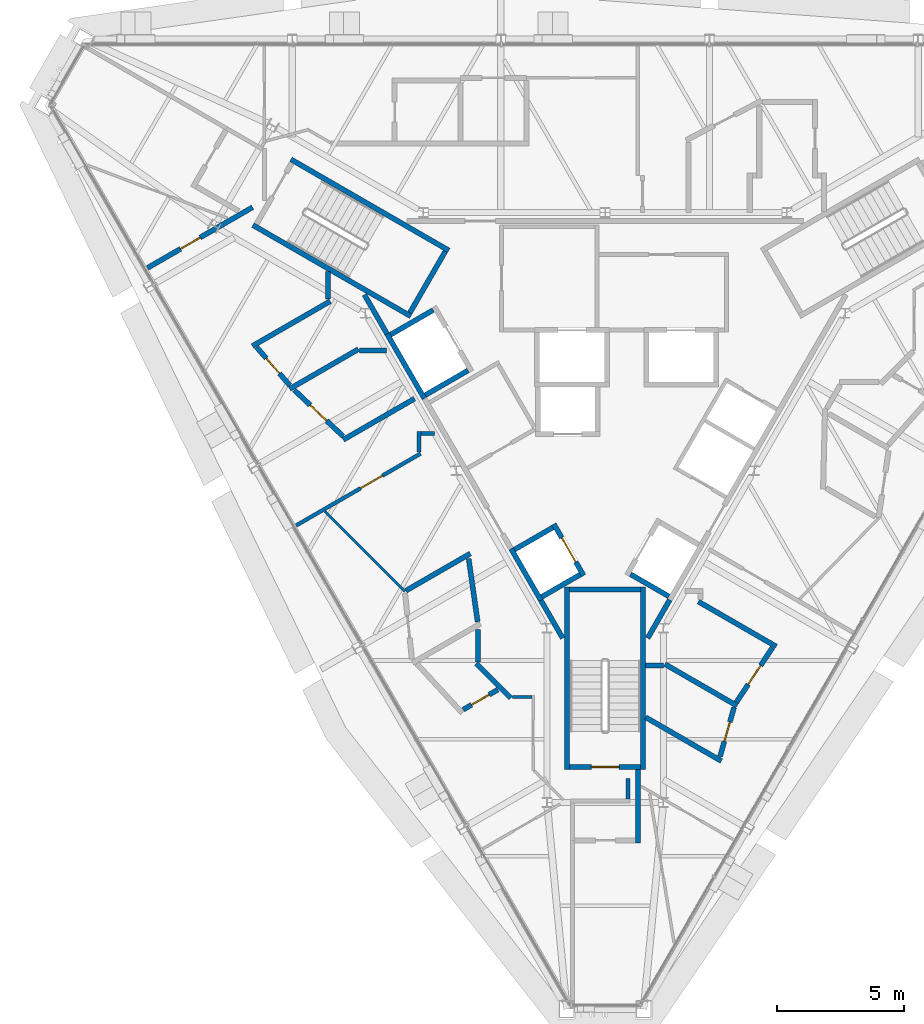
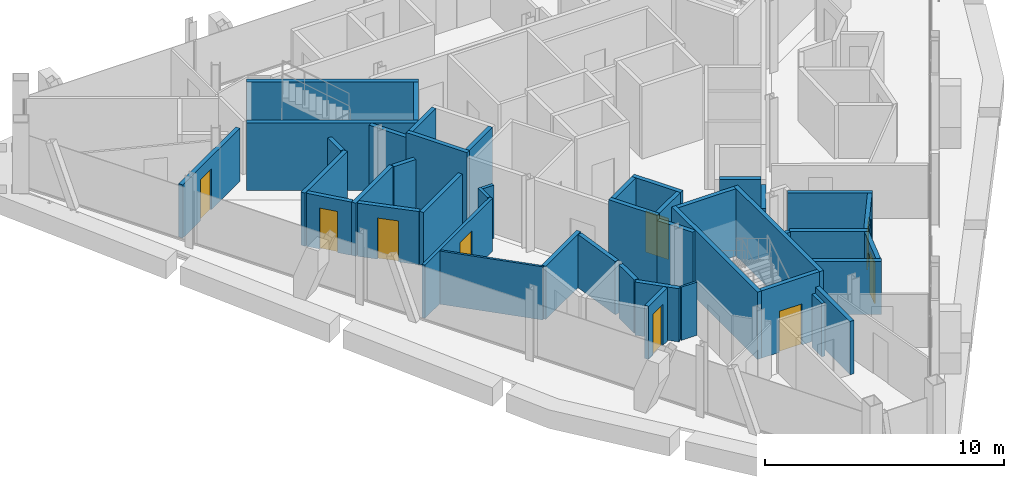
# One storey, part 9 of 15: 44 walls, 9 doors, 9 openings.
"""IFC4 building model written with IfcOpenShell, lengths in metres."""

import ifcopenshell
import ifcopenshell.guid

model = None  # the IFC model being written
_history = None  # IfcOwnerHistory: only IFC2X3 demands one
_inside = {}  # id of a spatial element -> (the spatial element, [elements in it])
_under = {}  # id of a project, library or spatial element -> (it, [spatial elements below it])
_declared = {}  # id of a project -> (the project, [libraries it declares])
_typed = {}  # id of a type object -> (the type object, [elements of that type])
_made_of = {}  # id of a material, layer set ... -> (it, [elements and type objects made of it])


def new_model(schema):
    """Start an empty IFC model of exactly this schema.

    Asked for "IFC4X3", IfcOpenShell would pick the latest addendum, in which some entities
    have other attributes; the version numbers below select the first issue.
    IFC2X3 requires an IfcOwnerHistory on every rooted entity: one is made here for all.
    """
    global model, _history
    if schema == "IFC4X3":
        model = ifcopenshell.file(schema_version=(4, 3, 0, 0))
    else:
        model = ifcopenshell.file(schema=schema)
    _inside.clear()
    _under.clear()
    _declared.clear()
    _typed.clear()
    _made_of.clear()
    _history = None
    if model.schema == "IFC2X3":
        org = make("IfcOrganization", Name="unknown")
        user = make(
            "IfcPersonAndOrganization",
            ThePerson=make("IfcPerson", FamilyName="unknown"),
            TheOrganization=org,
        )
        app = make(
            "IfcApplication",
            ApplicationDeveloper=org,
            Version="unknown",
            ApplicationFullName="unknown",
            ApplicationIdentifier="unknown",
        )
        _history = make(
            "IfcOwnerHistory",
            OwningUser=user,
            OwningApplication=app,
            ChangeAction="ADDED",
            CreationDate=0,
        )
    return model


def make(cls, **values):
    """One entity of the class cls with the attributes given. An attribute that is None is left unset."""
    return model.create_entity(
        cls, **{name: value for name, value in values.items() if value is not None}
    )


def rooted(cls, **values):
    """An entity with a GlobalId (a new one), such as an element, a storey or a relation."""
    return make(cls, GlobalId=ifcopenshell.guid.new(), OwnerHistory=_history, **values)


def si_unit(unit_type, name, prefix=None):
    """IfcSIUnit, for example si_unit("LENGTHUNIT", "METRE", prefix="MILLI")."""
    return make("IfcSIUnit", UnitType=unit_type, Prefix=prefix, Name=name)


def assignment(units):
    """IfcUnitAssignment: the units of a project."""
    return None if units is None else make("IfcUnitAssignment", Units=units)


def point(xyz):
    """IfcCartesianPoint."""
    return None if xyz is None else make("IfcCartesianPoint", Coordinates=xyz)


def direction(xyz):
    """IfcDirection."""
    return None if xyz is None else make("IfcDirection", DirectionRatios=xyz)


def frame(location, z_axis=None, x_axis=None):
    """IfcAxis2Placement3D, a coordinate frame: its origin and axes. An axis left out is left unset."""
    return make(
        "IfcAxis2Placement3D",
        Location=point(location),
        Axis=direction(z_axis),
        RefDirection=direction(x_axis),
    )


def frame_2d(location, x_axis=None):
    """IfcAxis2Placement2D, a coordinate frame in the plane: its origin and x axis."""
    return make(
        "IfcAxis2Placement2D", Location=point(location), RefDirection=direction(x_axis)
    )


def origin():
    """The frame at (0, 0, 0) with its axes left unset."""
    return frame((0.0, 0.0, 0.0))


def place(relative_to, where):
    """IfcLocalPlacement: puts the frame where relative to a parent placement (None: the world)."""
    return make(
        "IfcLocalPlacement", PlacementRelTo=relative_to, RelativePlacement=where
    )


def context(
    kind, dimensions, precision=None, world=None, true_north=None, identifier=None
):
    """IfcGeometricRepresentationContext, for example the 3D "Model" context."""
    return make(
        "IfcGeometricRepresentationContext",
        ContextIdentifier=identifier,
        ContextType=kind,
        CoordinateSpaceDimension=dimensions,
        Precision=precision,
        WorldCoordinateSystem=world,
        TrueNorth=true_north,
    )


def subcontext(parent, identifier, kind, view, scale=None):
    """IfcGeometricRepresentationSubContext, for example "Body" below "Model"."""
    return make(
        "IfcGeometricRepresentationSubContext",
        ContextIdentifier=identifier,
        ContextType=kind,
        ParentContext=parent,
        TargetScale=scale,
        TargetView=view,
    )


def project(units=None, contexts=None):
    """IfcProject with its units and contexts."""
    return rooted(
        "IfcProject",
        Name="project",
        RepresentationContexts=contexts,
        UnitsInContext=assignment(units),
    )


def spatial(cls, under=None, at=None, **own):
    """A site, building, storey or space (cls), placed at a placement, below another one or the project."""
    s = rooted(cls, ObjectPlacement=at, **own)
    if under is not None:
        _under.setdefault(under.id(), (under, []))[1].append(s)
    return s


def profile(cls, at=None, kind="AREA", **sizes):
    """A parametric profile (cls). Its sizes go by their IFC names, for example OverallWidth=200.0."""
    return make(cls, ProfileType=kind, Position=at, **sizes)


def rectangle(**sizes):
    """IfcRectangleProfileDef."""
    return profile("IfcRectangleProfileDef", **sizes)


def extrude(swept, where, along, depth):
    """IfcExtrudedAreaSolid: the profile swept, set in the frame where, extruded along a direction by depth."""
    return make(
        "IfcExtrudedAreaSolid",
        SweptArea=swept,
        Position=where,
        ExtrudedDirection=direction(along),
        Depth=depth,
    )


def shape(context_of_items, identifier, shape_type, items):
    """IfcShapeRepresentation: the items that make up one representation, for example the "Body"."""
    return make(
        "IfcShapeRepresentation",
        ContextOfItems=context_of_items,
        RepresentationIdentifier=identifier,
        RepresentationType=shape_type,
        Items=items,
    )


def material(Name=None, Category=None):
    """IfcMaterial."""
    return make("IfcMaterial", Name=Name, Category=Category)


def layer(
    of_material, thickness, ventilated=None, Name=None, Category=None, Priority=None
):
    """IfcMaterialLayer: one layer of a wall or slab, of a material (None: an air gap)."""
    return make(
        "IfcMaterialLayer",
        Material=of_material,
        LayerThickness=thickness,
        IsVentilated=ventilated,
        Name=Name,
        Category=Category,
        Priority=Priority,
    )


def layer_set(layers, Name=None):
    """IfcMaterialLayerSet."""
    return make("IfcMaterialLayerSet", MaterialLayers=layers, LayerSetName=Name)


def made_of(thing, what):
    """Note that an element or type object is made of a material, layer set ...; save() writes the relation."""
    if what is not None:
        _made_of.setdefault(what.id(), (what, []))[1].append(thing)
    return thing


def type_object(cls, material=None, **own):
    """A type object (cls), such as IfcWallType, which elements share."""
    return made_of(rooted(cls, **own), material)


def element(
    cls,
    number,
    at=None,
    inside=None,
    cuts=None,
    type_object=None,
    material=None,
    context=None,
    identifier="Body",
    shape_type=None,
    held_by="IfcProductDefinitionShape",
    body=None,
    shapes=None,
    **own,
):
    """One element of the class cls, such as IfcWall. Its Tag is "e" and its number.

    at: its placement. inside: the storey or other place that contains it. cuts: it is an
    opening in that element (IfcRelVoidsElement). A single representation is given by context,
    identifier, shape_type and body (its items); several are given by shapes. held_by: the class
    of the entity that holds the representations. save() writes the other relations.
    """
    e = rooted(cls, Tag="e%d" % number, ObjectPlacement=at, **own)
    if body is not None:
        shapes = [shape(context, identifier, shape_type, body)]
    if shapes is not None:
        e.Representation = make(held_by, Representations=shapes)
    if inside is not None:
        _inside.setdefault(inside.id(), (inside, []))[1].append(e)
    if cuts is not None:
        rooted(
            "IfcRelVoidsElement", RelatingBuildingElement=cuts, RelatedOpeningElement=e
        )
    if type_object is not None:
        _typed.setdefault(type_object.id(), (type_object, []))[1].append(e)
    return made_of(e, material)


def fill(opening, filler):
    """IfcRelFillsElement: the door or window that sits in an opening."""
    return rooted(
        "IfcRelFillsElement",
        RelatingOpeningElement=opening,
        RelatedBuildingElement=filler,
    )


def aggregate(whole, parts):
    """IfcRelAggregates: a whole, such as a stair, and the parts it consists of."""
    return rooted("IfcRelAggregates", RelatingObject=whole, RelatedObjects=parts)


def save(model, path):
    """Write the relations noted so far, then the file.

    IfcRelAggregates (storeys below a building ...), IfcRelContainedInSpatialStructure (elements
    in a storey), IfcRelDefinesByType, IfcRelAssociatesMaterial and IfcRelDeclares: one each for
    every whole, place, type object, material and project.
    """
    for whole, parts in _under.values():
        aggregate(whole, parts)
    for where, things in _inside.values():
        rooted(
            "IfcRelContainedInSpatialStructure",
            RelatedElements=things,
            RelatingStructure=where,
        )
    for kind, things in _typed.values():
        rooted("IfcRelDefinesByType", RelatedObjects=things, RelatingType=kind)
    for what, things in _made_of.values():
        rooted("IfcRelAssociatesMaterial", RelatedObjects=things, RelatingMaterial=what)
    for by, libraries in _declared.values():
        rooted("IfcRelDeclares", RelatingContext=by, RelatedDefinitions=libraries)
    model.write(path)


model = new_model("IFC4")

# Units and contexts
model_context = context("Model", 3, precision=1e-05, world=origin(), true_north=direction((0.0, 1.0)))
body_context = subcontext(model_context, "Body", "Model", "MODEL_VIEW")
ifc_project = project(units=[si_unit("LENGTHUNIT", "METRE"), si_unit("AREAUNIT", "SQUARE_METRE"), si_unit("VOLUMEUNIT", "CUBIC_METRE"), si_unit("PLANEANGLEUNIT", "RADIAN"), si_unit("MASSUNIT", "GRAM", prefix="KILO")], contexts=[model_context])

# Site, building, storey
site_placement = place(None, origin())
site = spatial("IfcSite", under=ifc_project, at=site_placement, CompositionType="ELEMENT")
building_placement = place(site_placement, origin())
building = spatial("IfcBuilding", under=site, at=building_placement, Name="Verrane Prism Tower", CompositionType="ELEMENT")
storey_placement = place(building_placement, frame((0.0, 0.0, 301.0)))
storey = spatial("IfcBuildingStorey", under=building, at=storey_placement, Name="L76", CompositionType="ELEMENT", Elevation=301.0)

# Walls
ifc_material_1 = material(Name="Gypsum board partition", Category="other")
ifc_layer_1 = layer(ifc_material_1, 0.199951171875)
ifc_layer_set_1 = layer_set([ifc_layer_1], Name="CW-200 core boundary wall 2 h")
wall_type_1 = type_object("IfcWallType", Name="CW-200 core boundary wall 2 h", PredefinedType="PARTITIONING", material=ifc_layer_set_1)
wall_1_placement = place(storey_placement, frame((-9.509033203125, 3.550537109375, 0.0), z_axis=(0.0, 0.0, 1.0), x_axis=(0.499999136801, -0.866025902152, 0.0)))
element("IfcWall", 1, at=wall_1_placement, inside=storey, type_object=wall_type_1, Name="Core boundary wall CW3-001", PredefinedType="PARTITIONING", context=body_context, shape_type="SweptSolid", body=[
    extrude(rectangle(XDim=1.7822265625, YDim=0.199951171875, at=frame_2d((0.89111328125, 0.0))), origin(), (0.0, 0.0, 1.0), 3.449951171875),
])
wall_2_placement = place(storey_placement, frame((-2.541015625, -8.51904296875, 0.0), z_axis=(0.0, 0.0, 1.0), x_axis=(0.500016142392, -0.86601608377, 0.0)))
element("IfcWall", 2, at=wall_2_placement, inside=storey, type_object=wall_type_1, Name="Core boundary wall CW3-004", PredefinedType="PARTITIONING", context=body_context, shape_type="SweptSolid", body=[
    extrude(rectangle(XDim=1.72705078125, YDim=0.199951171875, at=frame_2d((0.863525390625, 0.0))), origin(), (0.0, 0.0, 1.0), 3.449951171875),
])
wall_3_placement = place(storey_placement, frame((1.677490234375, -10.0146484375, 0.0), z_axis=(0.0, 0.0, 1.0), x_axis=(0.49983532306, 0.866120459187, 0.0)))
element("IfcWall", 3, at=wall_3_placement, inside=storey, type_object=wall_type_1, Name="Core boundary wall CW3-005", PredefinedType="PARTITIONING", context=body_context, shape_type="SweptSolid", body=[
    extrude(rectangle(XDim=1.74755859375, YDim=0.199951171875, at=frame_2d((0.873779296875, 0.0))), origin(), (0.0, 0.0, 1.0), 3.449951171875),
])
ifc_material_2 = material(Name="Concrete C40/50", Category="concrete")
ifc_layer_2 = layer(ifc_material_2, 0.199951171875)
ifc_layer_set_2 = layer_set([ifc_layer_2], Name="CW-200 stair core wall concrete C40/50 3 h")
wall_type_2 = type_object("IfcWallType", Name="CW-200 stair core wall concrete C40/50 3 h", PredefinedType="PARTITIONING", material=ifc_layer_set_2)
for number, where, z_axis, x_axis, name in (
    (4, (-7.67822265625, 2.700927734375, 0.0), (0.0, 0.0, 1.0), (-0.866018442252, 0.500012057535, 0.0), "Stair 2 enclosure wall"),
    (5, (-6.17822265625, 5.299072265625, 0.0), (0.0, 0.0, 1.0), (-0.866033125095, 0.499986626058, 0.0), "Stair 2 enclosure wall"),
):
    element("IfcWall", number, at=place(storey_placement, frame(where, z_axis=z_axis, x_axis=x_axis)), inside=storey, type_object=wall_type_2, Name=name, PredefinedType="PARTITIONING", context=body_context, shape_type="SweptSolid", body=[
        extrude(rectangle(XDim=7.199951171875, YDim=0.199951171875, at=frame_2d((3.60009765625, 0.0))), origin(), (0.0, 0.0, 1.0), 3.449951171875),
    ])
wall_4_placement = place(storey_placement, frame((-6.314697265625, 5.262451171875, 0.0), z_axis=(0.0, 0.0, 1.0), x_axis=(-0.500049511043, -0.865996816683, 0.0)))
element("IfcWall", 6, at=wall_4_placement, inside=storey, type_object=wall_type_2, Name="Stair 2 enclosure wall", PredefinedType="PARTITIONING", context=body_context, shape_type="SweptSolid", body=[
    extrude(rectangle(XDim=2.800048828125, YDim=0.199951171875, at=frame_2d((1.39990234375, 0.0))), origin(), (0.0, 0.0, 1.0), 3.449951171875),
])

# Wall, opening, door
wall_5_placement = place(storey_placement, frame((-1.39990234375, -15.10009765625, 0.0), z_axis=(0.0, 0.0, 1.0), x_axis=(1.0, 0.0, 0.0)))
wall_5 = element("IfcWall", 7, at=wall_5_placement, inside=storey, type_object=wall_type_2, Name="Stair 3 enclosure wall", PredefinedType="PARTITIONING", context=body_context, shape_type="SweptSolid", body=[
    extrude(rectangle(XDim=2.7998046875, YDim=0.199951171875, at=frame_2d((1.39990234375, 0.0))), origin(), (0.0, 0.0, 1.0), 3.449951171875),
])
opening_1_placement = place(wall_5_placement, frame((0.85009765625, 0.0, 0.0)))
opening_1 = element("IfcOpeningElement", 8, at=opening_1_placement, cuts=wall_5, Name="Opening D75502", PredefinedType="OPENING", context=body_context, shape_type="SweptSolid", body=[
    extrude(rectangle(XDim=1.10009765625, YDim=2.10009765625, at=frame_2d((0.550048828125, 1.050048828125))), frame((0.0, 0.10986328125, 0.0), z_axis=(0.0, -1.0, 0.0), x_axis=(1.0, 0.0, 0.0)), (0.0, 0.0, 1.0), 0.219970703125),
])
ifc_material_3 = material(Name="Timber veneered door leaf", Category="wood")
door_type_1 = type_object("IfcDoorType", Name="DR-1100x2100 FD90 single leaf stair", OperationType="NOTDEFINED", PredefinedType="DOOR", material=ifc_material_3)
door_1_placement = place(opening_1_placement, origin())
door_1 = element("IfcDoor", 9, at=door_1_placement, inside=storey, type_object=door_type_1, Name="Stair 3 door", OperationType="SINGLE_SWING_LEFT", OverallHeight=2.10009765625, OverallWidth=1.10009765625, PredefinedType="DOOR", context=body_context, shape_type="SweptSolid", body=[
    extrude(rectangle(XDim=1.10009765625, YDim=2.10009765625, at=frame_2d((0.550048828125, 1.050048828125))), frame((0.0, 0.02490234375, 0.0), z_axis=(0.0, -1.0, 0.0), x_axis=(1.0, 0.0, 0.0)), (0.0, 0.0, 1.0), 0.050048828125),
])
fill(opening_1, door_1)

# Walls
for number, where, z_axis, x_axis, name in (
    (10, (1.5, -8.0, 0.0), (0.0, 0.0, 1.0), (0.0, -1.0, 0.0), "Stair 3 enclosure wall"),
    (11, (-1.5, -8.0, 0.0), (0.0, 0.0, 1.0), (0.0, -1.0, 0.0), "Stair 3 enclosure wall"),
):
    element("IfcWall", number, at=place(storey_placement, frame(where, z_axis=z_axis, x_axis=x_axis)), inside=storey, type_object=wall_type_2, Name=name, PredefinedType="PARTITIONING", context=body_context, shape_type="SweptSolid", body=[
        extrude(rectangle(XDim=7.199951171875, YDim=0.199951171875, at=frame_2d((3.60009765625, 0.0))), origin(), (0.0, 0.0, 1.0), 3.449951171875),
    ])
wall_6_placement = place(storey_placement, frame((-1.39990234375, -8.10009765625, 0.0), z_axis=(0.0, 0.0, 1.0), x_axis=(1.0, 0.0, 0.0)))
element("IfcWall", 12, at=wall_6_placement, inside=storey, type_object=wall_type_2, Name="Stair 3 enclosure wall", PredefinedType="PARTITIONING", context=body_context, shape_type="SweptSolid", body=[
    extrude(rectangle(XDim=2.7998046875, YDim=0.199951171875, at=frame_2d((1.39990234375, 0.0))), origin(), (0.0, 0.0, 1.0), 3.449951171875),
])
ifc_material_4 = material(Name="Gypsum board shaft wall assembly", Category="other")
ifc_layer_3 = layer(ifc_material_4, 0.199951171875)
ifc_layer_set_3 = layer_set([ifc_layer_3], Name="HW-200 lift shaft wall 2 h")
wall_type_3 = type_object("IfcWallType", Name="HW-200 lift shaft wall 2 h", PredefinedType="PARTITIONING", material=ifc_layer_set_3)
for number, where, z_axis, x_axis, name in (
    (13, (-2.50537109375, -8.38037109375, 0.0), (0.0, 0.0, 1.0), (0.866002029911, 0.500040482552, 0.0), "Lift shaft wall"),
    (14, (-3.580322265625, -6.5185546875, 0.0), (0.0, 0.0, 1.0), (0.866002029911, 0.500040482552, 0.0), "Lift shaft wall"),
):
    element("IfcWall", number, at=place(storey_placement, frame(where, z_axis=z_axis, x_axis=x_axis)), inside=storey, type_object=wall_type_3, Name=name, PredefinedType="PARTITIONING", context=body_context, shape_type="SweptSolid", body=[
        extrude(rectangle(XDim=1.749755859375, YDim=0.199951171875, at=frame_2d((0.875, 0.0))), origin(), (0.0, 0.0, 1.0), 3.699951171875),
    ])
for number, where, z_axis, x_axis, name in (
    (15, (-7.10546875, -0.4130859375, 0.0), (0.0, 0.0, 1.0), (0.866000020948, 0.500043961785, 0.0), "Lift shaft wall"),
    (16, (-8.48046875, 1.968505859375, 0.0), (0.0, 0.0, 1.0), (0.866000020948, 0.500043961785, 0.0), "Lift shaft wall"),
):
    element("IfcWall", number, at=place(storey_placement, frame(where, z_axis=z_axis, x_axis=x_axis)), inside=storey, type_object=wall_type_3, Name=name, PredefinedType="PARTITIONING", context=body_context, shape_type="SweptSolid", body=[
        extrude(rectangle(XDim=1.949951171875, YDim=0.199951171875, at=frame_2d((0.97509765625, 0.0))), origin(), (0.0, 0.0, 1.0), 3.699951171875),
    ])

# Wall, opening, door
wall_7_placement = place(storey_placement, frame((-0.853271484375, -7.5419921875, 0.0), z_axis=(0.0, 0.0, 1.0), x_axis=(-0.500016218704, 0.866016039709, 0.0)))
wall_7 = element("IfcWall", 17, at=wall_7_placement, inside=storey, type_object=wall_type_3, Name="Lift shaft wall", PredefinedType="PARTITIONING", context=body_context, shape_type="SweptSolid", body=[
    extrude(rectangle(XDim=2.35009765625, YDim=0.199951171875, at=frame_2d((1.175048828125, 0.0))), origin(), (0.0, 0.0, 1.0), 3.699951171875),
])
opening_2_placement = place(wall_7_placement, frame((0.625, 0.0, 0.0)))
opening_2 = element("IfcOpeningElement", 18, at=opening_2_placement, cuts=wall_7, Name="Opening D75503", PredefinedType="OPENING", context=body_context, shape_type="SweptSolid", body=[
    extrude(rectangle(XDim=1.10009765625, YDim=2.10009765625, at=frame_2d((0.550048828125, 1.050048828125))), frame((0.0, 0.10986328125, 0.0), z_axis=(0.0, -1.0, 0.0), x_axis=(1.0, 0.0, 0.0)), (0.0, 0.0, 1.0), 0.219970703125),
])
ifc_material_5 = material(Name="Stainless steel sliding landing door", Category="steel")
door_type_2 = type_object("IfcDoorType", Name="LD-1100x2100 lift landing door FD90 sliding", OperationType="NOTDEFINED", PredefinedType="DOOR", material=ifc_material_5)
door_2_placement = place(opening_2_placement, origin())
door_2 = element("IfcDoor", 19, at=door_2_placement, inside=storey, type_object=door_type_2, Name="Bank C lift 1 landing door", OperationType="SLIDING_TO_LEFT", OverallHeight=2.10009765625, OverallWidth=1.10009765625, PredefinedType="DOOR", context=body_context, shape_type="SweptSolid", body=[
    extrude(rectangle(XDim=1.10009765625, YDim=2.10009765625, at=frame_2d((0.550048828125, 1.050048828125))), frame((0.0, 0.02490234375, 0.0), z_axis=(0.0, -1.0, 0.0), x_axis=(1.0, 0.0, 0.0)), (0.0, 0.0, 1.0), 0.050048828125),
])
fill(opening_2, door_2)

# Walls
wall_8_placement = place(storey_placement, frame((-2.5419921875, -8.51708984375, 0.0), z_axis=(0.0, 0.0, 1.0), x_axis=(-0.500016218704, 0.866016039709, 0.0)))
element("IfcWall", 20, at=wall_8_placement, inside=storey, type_object=wall_type_3, Name="Lift shaft wall", PredefinedType="PARTITIONING", context=body_context, shape_type="SweptSolid", body=[
    extrude(rectangle(XDim=2.35009765625, YDim=0.199951171875, at=frame_2d((1.175048828125, 0.0))), origin(), (0.0, 0.0, 1.0), 3.699951171875),
])
wall_9_placement = place(storey_placement, frame((-7.14208984375, -0.549560546875, 0.0), z_axis=(0.0, 0.0, 1.0), x_axis=(-0.49997559174, 0.866039495442, 0.0)))
element("IfcWall", 21, at=wall_9_placement, inside=storey, type_object=wall_type_3, Name="Lift shaft wall", PredefinedType="PARTITIONING", context=body_context, shape_type="SweptSolid", body=[
    extrude(rectangle(XDim=2.949951171875, YDim=0.199951171875, at=frame_2d((1.47509765625, 0.0))), origin(), (0.0, 0.0, 1.0), 3.699951171875),
])
wall_10_placement = place(storey_placement, frame((2.515380859375, -8.36328125, 0.0), z_axis=(0.0, 0.0, 1.0), x_axis=(-0.866036909293, 0.499980071345, 0.0)))
element("IfcWall", 22, at=wall_10_placement, inside=storey, type_object=wall_type_3, Name="Lift shaft wall", PredefinedType="PARTITIONING", context=body_context, shape_type="SweptSolid", body=[
    extrude(rectangle(XDim=1.75, YDim=0.199951171875, at=frame_2d((0.875, 0.0))), origin(), (0.0, 0.0, 1.0), 3.699951171875),
])
ifc_material_6 = material(Name="Gypsum board partition", Category="other")
ifc_layer_4 = layer(ifc_material_6, 0.10009765625)
ifc_layer_set_4 = layer_set([ifc_layer_4], Name="PW-100 room partition")
wall_type_4 = type_object("IfcWallType", Name="PW-100 room partition", PredefinedType="PARTITIONING", material=ifc_layer_set_4)
wall_11_placement = place(storey_placement, frame((-11.070556640625, -5.00830078125, 0.0), z_axis=(0.0, 0.0, 1.0), x_axis=(0.707079435951, -0.707134125365, 0.0)))
element("IfcWall", 23, at=wall_11_placement, inside=storey, type_object=wall_type_4, Name="Room partition 017", PredefinedType="PARTITIONING", context=body_context, shape_type="SweptSolid", body=[
    extrude(rectangle(XDim=4.464111328125, YDim=0.10009765625, at=frame_2d((2.23193359375, 0.0))), origin(), (0.0, 0.0, 1.0), 2.722900390625),
])
wall_12_placement = place(storey_placement, frame((-3.6640625, -12.339111328125, 0.0), z_axis=(0.0, 0.0, 1.0), x_axis=(1.0, 0.0, 0.0)))
element("IfcWall", 24, at=wall_12_placement, inside=storey, type_object=wall_type_4, Name="Room partition 037", PredefinedType="PARTITIONING", context=body_context, shape_type="SweptSolid", body=[
    extrude(rectangle(XDim=0.76416015625, YDim=0.10009765625, at=frame_2d((0.382080078125, 0.0))), origin(), (0.0, 0.0, 1.0), 2.722900390625),
])

# Wall, opening, door
ifc_material_7 = material(Name="Gypsum board partition", Category="other")
ifc_layer_5 = layer(ifc_material_7, 0.14990234375)
ifc_layer_set_5 = layer_set([ifc_layer_5], Name="PW-150 demising wall 1 h")
wall_type_5 = type_object("IfcWallType", Name="PW-150 demising wall 1 h", PredefinedType="PARTITIONING", material=ifc_layer_set_5)
wall_13_placement = place(storey_placement, frame((-12.205078125, -5.562255859375, 0.0), z_axis=(0.0, 0.0, 1.0), x_axis=(0.866006351856, 0.500032997455, 0.0)))
wall_13 = element("IfcWall", 25, at=wall_13_placement, inside=storey, type_object=wall_type_5, Name="Demising wall 015", PredefinedType="PARTITIONING", context=body_context, shape_type="SweptSolid", body=[
    extrude(rectangle(XDim=5.6708984375, YDim=0.14990234375, at=frame_2d((2.83544921875, 0.0))), origin(), (0.0, 0.0, 1.0), 2.722900390625),
])
opening_3_placement = place(wall_13_placement, frame((2.935302734375, 0.0, 0.0)))
opening_3 = element("IfcOpeningElement", 26, at=opening_3_placement, cuts=wall_13, Name="Opening D75023", PredefinedType="OPENING", context=body_context, shape_type="SweptSolid", body=[
    extrude(rectangle(XDim=1.0, YDim=2.10009765625, at=frame_2d((0.5, 1.050048828125))), frame((0.0, 0.0849609375, 0.0), z_axis=(0.0, -1.0, 0.0), x_axis=(1.0, 0.0, 0.0)), (0.0, 0.0, 1.0), 0.169921875),
])
ifc_material_8 = material(Name="Timber veneered door leaf", Category="wood")
door_type_3 = type_object("IfcDoorType", Name="DR-1000x2100 FD20 single leaf inner", OperationType="NOTDEFINED", PredefinedType="DOOR", material=ifc_material_8)
door_3_placement = place(opening_3_placement, origin())
door_3 = element("IfcDoor", 27, at=door_3_placement, inside=storey, type_object=door_type_3, Name="Entrance Foyer door", OperationType="SINGLE_SWING_LEFT", OverallHeight=2.10009765625, OverallWidth=1.0, PredefinedType="DOOR", context=body_context, shape_type="SweptSolid", body=[
    extrude(rectangle(XDim=1.0, YDim=2.10009765625, at=frame_2d((0.5, 1.050048828125))), frame((0.0, 0.02490234375, 0.0), z_axis=(0.0, -1.0, 0.0), x_axis=(1.0, 0.0, 0.0)), (0.0, 0.0, 1.0), 0.050048828125),
])
fill(opening_3, door_3)

# Walls
wall_14_placement = place(storey_placement, frame((-7.35888671875, -2.6640625, 0.0), z_axis=(0.0, 0.0, 1.0), x_axis=(0.0, 1.0, 0.0)))
element("IfcWall", 28, at=wall_14_placement, inside=storey, type_object=wall_type_5, Name="Demising wall 028", PredefinedType="PARTITIONING", context=body_context, shape_type="SweptSolid", body=[
    extrude(rectangle(XDim=0.80810546875, YDim=0.14990234375, at=frame_2d((0.404052734375, 0.0))), origin(), (0.0, 0.0, 1.0), 2.722900390625),
])
wall_15_placement = place(storey_placement, frame((-7.283935546875, -1.930908203125, 0.0), z_axis=(0.0, 0.0, 1.0), x_axis=(1.0, 0.0, 0.0)))
element("IfcWall", 29, at=wall_15_placement, inside=storey, type_object=wall_type_5, Name="Demising wall 029", PredefinedType="PARTITIONING", context=body_context, shape_type="SweptSolid", body=[
    extrude(rectangle(XDim=0.546875, YDim=0.14990234375, at=frame_2d((0.2734375, 0.0))), origin(), (0.0, 0.0, 1.0), 2.722900390625),
])
wall_16_placement = place(storey_placement, frame((0.89990234375, -16.375, 0.0), z_axis=(0.0, 0.0, 1.0), x_axis=(0.0, 1.0, 0.0)))
element("IfcWall", 30, at=wall_16_placement, inside=storey, type_object=wall_type_5, Name="Demising wall 046", PredefinedType="PARTITIONING", context=body_context, shape_type="SweptSolid", body=[
    extrude(rectangle(XDim=0.80810546875, YDim=0.14990234375, at=frame_2d((0.404052734375, 0.0))), origin(), (0.0, 0.0, 1.0), 2.722900390625),
])

# Wall, opening, door
ifc_material_9 = material(Name="Gypsum board partition", Category="other")
ifc_layer_6 = layer(ifc_material_9, 0.199951171875)
ifc_layer_set_6 = layer_set([ifc_layer_6], Name="PW-200 plumbing wall")
wall_type_6 = type_object("IfcWallType", Name="PW-200 plumbing wall", PredefinedType="PARTITIONING", material=ifc_layer_set_6)
wall_17_placement = place(storey_placement, frame((-18.077880859375, 4.610107421875, 0.0), z_axis=(0.0, 0.0, 1.0), x_axis=(0.86606672372, 0.499928424942, 0.0)))
wall_17 = element("IfcWall", 31, at=wall_17_placement, inside=storey, type_object=wall_type_6, Name="Plumbing wall 003", PredefinedType="PARTITIONING", context=body_context, shape_type="SweptSolid", body=[
    extrude(rectangle(XDim=4.788330078125, YDim=0.199951171875, at=frame_2d((2.39404296875, 0.0))), origin(), (0.0, 0.0, 1.0), 2.722900390625),
])
opening_4_placement = place(wall_17_placement, frame((1.50390625, 0.0, 0.0)))
opening_4 = element("IfcOpeningElement", 32, at=opening_4_placement, cuts=wall_17, Name="Opening D75021", PredefinedType="OPENING", context=body_context, shape_type="SweptSolid", body=[
    extrude(rectangle(XDim=0.89990234375, YDim=2.10009765625, at=frame_2d((0.449951171875, 1.050048828125))), frame((0.0, 0.10986328125, 0.0), z_axis=(0.0, -1.0, 0.0), x_axis=(1.0, 0.0, 0.0)), (0.0, 0.0, 1.0), 0.219970703125),
])
ifc_material_10 = material(Name="Timber veneered door leaf", Category="wood")
door_type_4 = type_object("IfcDoorType", Name="DR-900x2100 single leaf inner", OperationType="NOTDEFINED", PredefinedType="DOOR", material=ifc_material_10)
door_4_placement = place(opening_4_placement, origin())
door_4 = element("IfcDoor", 33, at=door_4_placement, inside=storey, type_object=door_type_4, Name="Living And Dining Room door", OperationType="SINGLE_SWING_LEFT", OverallHeight=2.10009765625, OverallWidth=0.89990234375, PredefinedType="DOOR", context=body_context, shape_type="SweptSolid", body=[
    extrude(rectangle(XDim=0.89990234375, YDim=2.10009765625, at=frame_2d((0.449951171875, 1.050048828125))), frame((0.0, 0.02490234375, 0.0), z_axis=(0.0, -1.0, 0.0), x_axis=(1.0, 0.0, 0.0)), (0.0, 0.0, 1.0), 0.050048828125),
])
fill(opening_4, door_4)

wall_18_placement = place(storey_placement, frame((-13.770263671875, 1.4814453125, 0.0), z_axis=(0.0, 0.0, 1.0), x_axis=(0.655840374671, -0.754899597928, 0.0)))
wall_18 = element("IfcWall", 34, at=wall_18_placement, inside=storey, type_object=wall_type_6, Name="Plumbing wall 007", PredefinedType="PARTITIONING", context=body_context, shape_type="SweptSolid", body=[
    extrude(rectangle(XDim=2.001220703125, YDim=0.199951171875, at=frame_2d((1.00048828125, 0.0))), origin(), (0.0, 0.0, 1.0), 2.722900390625),
])
opening_5_placement = place(wall_18_placement, frame((0.580078125, 0.0, 0.0)))
opening_5 = element("IfcOpeningElement", 35, at=opening_5_placement, cuts=wall_18, Name="Opening D75022", PredefinedType="OPENING", context=body_context, shape_type="SweptSolid", body=[
    extrude(rectangle(XDim=0.800048828125, YDim=2.10009765625, at=frame_2d((0.39990234375, 1.050048828125))), frame((0.0, 0.10986328125, 0.0), z_axis=(0.0, -1.0, 0.0), x_axis=(1.0, 0.0, 0.0)), (0.0, 0.0, 1.0), 0.219970703125),
])
ifc_material_11 = material(Name="Timber veneered door leaf", Category="wood")
door_type_5 = type_object("IfcDoorType", Name="DR-800x2100 single leaf inner", OperationType="NOTDEFINED", PredefinedType="DOOR", material=ifc_material_11)
door_5_placement = place(opening_5_placement, origin())
door_5 = element("IfcDoor", 36, at=door_5_placement, inside=storey, type_object=door_type_5, Name="Powder Room door", OperationType="SINGLE_SWING_RIGHT", OverallHeight=2.10009765625, OverallWidth=0.800048828125, PredefinedType="DOOR", context=body_context, shape_type="SweptSolid", body=[
    extrude(rectangle(XDim=0.800048828125, YDim=2.10009765625, at=frame_2d((0.39990234375, 1.050048828125))), frame((0.0, 0.02490234375, 0.0), z_axis=(0.0, -1.0, 0.0), x_axis=(1.0, 0.0, 0.0)), (0.0, 0.0, 1.0), 0.050048828125),
])
fill(opening_5, door_5)

# Wall
wall_19_placement = place(storey_placement, frame((-13.935546875, 1.52197265625, 0.0), z_axis=(0.0, 0.0, 1.0), x_axis=(0.866075604562, 0.499913039621, 0.0)))
element("IfcWall", 37, at=wall_19_placement, inside=storey, type_object=wall_type_6, Name="Plumbing wall 008", PredefinedType="PARTITIONING", context=body_context, shape_type="SweptSolid", body=[
    extrude(rectangle(XDim=3.548583984375, YDim=0.199951171875, at=frame_2d((1.7744140625, 0.0))), origin(), (0.0, 0.0, 1.0), 2.722900390625),
])

# Wall, opening, door
wall_20_placement = place(storey_placement, frame((-12.281005859375, -0.212890625, 0.0), z_axis=(0.0, 0.0, 1.0), x_axis=(0.725846578303, -0.687856630968, 0.0)))
wall_20 = element("IfcWall", 38, at=wall_20_placement, inside=storey, type_object=wall_type_6, Name="Plumbing wall 013", PredefinedType="PARTITIONING", context=body_context, shape_type="SweptSolid", body=[
    extrude(rectangle(XDim=2.66064453125, YDim=0.199951171875, at=frame_2d((1.330322265625, 0.0))), origin(), (0.0, 0.0, 1.0), 2.722900390625),
])
opening_6_placement = place(wall_20_placement, frame((0.864990234375, 0.0, 0.0)))
opening_6 = element("IfcOpeningElement", 39, at=opening_6_placement, cuts=wall_20, Name="Opening D75024", PredefinedType="OPENING", context=body_context, shape_type="SweptSolid", body=[
    extrude(rectangle(XDim=0.89990234375, YDim=2.10009765625, at=frame_2d((0.449951171875, 1.050048828125))), frame((0.0, 0.10986328125, 0.0), z_axis=(0.0, -1.0, 0.0), x_axis=(1.0, 0.0, 0.0)), (0.0, 0.0, 1.0), 0.219970703125),
])
door_6_placement = place(opening_6_placement, origin())
door_6 = element("IfcDoor", 40, at=door_6_placement, inside=storey, type_object=door_type_4, Name="Kitchen door", OperationType="SINGLE_SWING_RIGHT", OverallHeight=2.10009765625, OverallWidth=0.89990234375, PredefinedType="DOOR", context=body_context, shape_type="SweptSolid", body=[
    extrude(rectangle(XDim=0.89990234375, YDim=2.10009765625, at=frame_2d((0.449951171875, 1.050048828125))), frame((0.0, 0.02490234375, 0.0), z_axis=(0.0, -1.0, 0.0), x_axis=(1.0, 0.0, 0.0)), (0.0, 0.0, 1.0), 0.050048828125),
])
fill(opening_6, door_6)

# Walls
wall_21_placement = place(storey_placement, frame((-12.465576171875, -0.169921875, 0.0), z_axis=(0.0, 0.0, 1.0), x_axis=(0.865952591736, 0.500126092966, 0.0)))
element("IfcWall", 41, at=wall_21_placement, inside=storey, type_object=wall_type_6, Name="Plumbing wall 014", PredefinedType="PARTITIONING", context=body_context, shape_type="SweptSolid", body=[
    extrude(rectangle(XDim=3.141357421875, YDim=0.199951171875, at=frame_2d((1.57080078125, 0.0))), origin(), (0.0, 0.0, 1.0), 2.722900390625),
])
wall_22_placement = place(storey_placement, frame((-10.948974609375, 3.381103515625, 0.0), z_axis=(0.0, 0.0, 1.0), x_axis=(0.0, 1.0, 0.0)))
element("IfcWall", 42, at=wall_22_placement, inside=storey, type_object=wall_type_6, Name="Plumbing wall 018", PredefinedType="PARTITIONING", context=body_context, shape_type="SweptSolid", body=[
    extrude(rectangle(XDim=1.093017578125, YDim=0.199951171875, at=frame_2d((0.54638671875, 0.0))), origin(), (0.0, 0.0, 1.0), 2.722900390625),
])
wall_23_placement = place(storey_placement, frame((-10.345703125, -2.178955078125, 0.0), z_axis=(0.0, 0.0, 1.0), x_axis=(0.86595908408, 0.500114851509, 0.0)))
element("IfcWall", 43, at=wall_23_placement, inside=storey, type_object=wall_type_6, Name="Plumbing wall 020", PredefinedType="PARTITIONING", context=body_context, shape_type="SweptSolid", body=[
    extrude(rectangle(XDim=3.249267578125, YDim=0.199951171875, at=frame_2d((1.62451171875, 0.0))), origin(), (0.0, 0.0, 1.0), 2.722900390625),
])
wall_24_placement = place(storey_placement, frame((-9.697021484375, 1.35107421875, 0.0), z_axis=(0.0, 0.0, 1.0), x_axis=(1.0, 0.0, 0.0)))
element("IfcWall", 44, at=wall_24_placement, inside=storey, type_object=wall_type_6, Name="Plumbing wall 021", PredefinedType="PARTITIONING", context=body_context, shape_type="SweptSolid", body=[
    extrude(rectangle(XDim=1.06494140625, YDim=0.199951171875, at=frame_2d((0.532470703125, 0.0))), origin(), (0.0, 0.0, 1.0), 2.722900390625),
])
wall_25_placement = place(storey_placement, frame((-7.87060546875, -8.139892578125, 0.0), z_axis=(0.0, 0.0, 1.0), x_axis=(0.866106676517, 0.49985920507, 0.0)))
element("IfcWall", 45, at=wall_25_placement, inside=storey, type_object=wall_type_6, Name="Plumbing wall 025", PredefinedType="PARTITIONING", context=body_context, shape_type="SweptSolid", body=[
    extrude(rectangle(XDim=2.936279296875, YDim=0.199951171875, at=frame_2d((1.46826171875, 0.0))), origin(), (0.0, 0.0, 1.0), 2.722900390625),
])

# Wall, opening, door
wall_26_placement = place(storey_placement, frame((-5.607177734375, -12.837890625, 0.0), z_axis=(0.0, 0.0, 1.0), x_axis=(0.866095534226, 0.499878510834, 0.0)))
wall_26 = element("IfcWall", 46, at=wall_26_placement, inside=storey, type_object=wall_type_6, Name="Plumbing wall 032", PredefinedType="PARTITIONING", context=body_context, shape_type="SweptSolid", body=[
    extrude(rectangle(XDim=1.580078125, YDim=0.199951171875, at=frame_2d((0.7900390625, 0.0))), origin(), (0.0, 0.0, 1.0), 2.722900390625),
])
opening_7_placement = place(wall_26_placement, frame((0.3798828125, 0.0, 0.0)))
opening_7 = element("IfcOpeningElement", 47, at=opening_7_placement, cuts=wall_26, Name="Opening D75030", PredefinedType="OPENING", context=body_context, shape_type="SweptSolid", body=[
    extrude(rectangle(XDim=0.800048828125, YDim=2.10009765625, at=frame_2d((0.39990234375, 1.050048828125))), frame((0.0, 0.10986328125, 0.0), z_axis=(0.0, -1.0, 0.0), x_axis=(1.0, 0.0, 0.0)), (0.0, 0.0, 1.0), 0.219970703125),
])
door_7_placement = place(opening_7_placement, origin())
door_7 = element("IfcDoor", 48, at=door_7_placement, inside=storey, type_object=door_type_5, Name="Bathroom door", OperationType="SINGLE_SWING_RIGHT", OverallHeight=2.10009765625, OverallWidth=0.800048828125, PredefinedType="DOOR", context=body_context, shape_type="SweptSolid", body=[
    extrude(rectangle(XDim=0.800048828125, YDim=2.10009765625, at=frame_2d((0.39990234375, 1.050048828125))), frame((0.0, 0.02490234375, 0.0), z_axis=(0.0, -1.0, 0.0), x_axis=(1.0, 0.0, 0.0)), (0.0, 0.0, 1.0), 0.050048828125),
])
fill(opening_7, door_7)

# Walls
wall_27_placement = place(storey_placement, frame((-5.392822265625, -6.87060546875, 0.0), z_axis=(0.0, 0.0, 1.0), x_axis=(0.140960508483, -0.990015219604, 0.0)))
element("IfcWall", 49, at=wall_27_placement, inside=storey, type_object=wall_type_6, Name="Plumbing wall 033", PredefinedType="PARTITIONING", context=body_context, shape_type="SweptSolid", body=[
    extrude(rectangle(XDim=2.521728515625, YDim=0.199951171875, at=frame_2d((1.2607421875, 0.0))), origin(), (0.0, 0.0, 1.0), 2.722900390625),
])
wall_28_placement = place(storey_placement, frame((-5.01904296875, -10.948974609375, 0.0), z_axis=(0.0, 0.0, 1.0), x_axis=(0.0, 1.0, 0.0)))
element("IfcWall", 50, at=wall_28_placement, inside=storey, type_object=wall_type_6, Name="Plumbing wall 034", PredefinedType="PARTITIONING", context=body_context, shape_type="SweptSolid", body=[
    extrude(rectangle(XDim=1.282958984375, YDim=0.199951171875, at=frame_2d((0.6416015625, 0.0))), origin(), (0.0, 0.0, 1.0), 2.722900390625),
])
wall_29_placement = place(storey_placement, frame((-5.089599609375, -11.018310546875, 0.0), z_axis=(0.0, 0.0, 1.0), x_axis=(0.707106781187, -0.707106781187, 0.0)))
element("IfcWall", 51, at=wall_29_placement, inside=storey, type_object=wall_type_6, Name="Plumbing wall 035", PredefinedType="PARTITIONING", context=body_context, shape_type="SweptSolid", body=[
    extrude(rectangle(XDim=1.917724609375, YDim=0.199951171875, at=frame_2d((0.958984375, 0.0))), origin(), (0.0, 0.0, 1.0), 2.722900390625),
])
wall_30_placement = place(storey_placement, frame((1.300048828125, -18.10009765625, 0.0), z_axis=(0.0, 0.0, 1.0), x_axis=(0.0, 1.0, 0.0)))
element("IfcWall", 52, at=wall_30_placement, inside=storey, type_object=wall_type_6, Name="Plumbing wall 048", PredefinedType="PARTITIONING", context=body_context, shape_type="SweptSolid", body=[
    extrude(rectangle(XDim=2.900146484375, YDim=0.199951171875, at=frame_2d((1.4501953125, 0.0))), origin(), (0.0, 0.0, 1.0), 2.722900390625),
])
wall_31_placement = place(storey_placement, frame((1.60009765625, -13.14208984375, 0.0), z_axis=(0.0, 0.0, 1.0), x_axis=(0.866078307516, -0.499908356852, 0.0)))
element("IfcWall", 53, at=wall_31_placement, inside=storey, type_object=wall_type_6, Name="Plumbing wall 051", PredefinedType="PARTITIONING", context=body_context, shape_type="SweptSolid", body=[
    extrude(rectangle(XDim=3.448486328125, YDim=0.199951171875, at=frame_2d((1.72412109375, 0.0))), origin(), (0.0, 0.0, 1.0), 2.722900390625),
])
wall_32_placement = place(storey_placement, frame((1.60009765625, -11.089111328125, 0.0), z_axis=(0.0, 0.0, 1.0), x_axis=(1.0, 0.0, 0.0)))
element("IfcWall", 54, at=wall_32_placement, inside=storey, type_object=wall_type_6, Name="Plumbing wall 052", PredefinedType="PARTITIONING", context=body_context, shape_type="SweptSolid", body=[
    extrude(rectangle(XDim=0.708984375, YDim=0.199951171875, at=frame_2d((0.3544921875, 0.0))), origin(), (0.0, 0.0, 1.0), 2.722900390625),
])
wall_33_placement = place(storey_placement, frame((2.357421875, -11.0390625, 0.0), z_axis=(0.0, 0.0, 1.0), x_axis=(0.865999185644, -0.500045408402, 0.0)))
element("IfcWall", 55, at=wall_33_placement, inside=storey, type_object=wall_type_6, Name="Plumbing wall 054", PredefinedType="PARTITIONING", context=body_context, shape_type="SweptSolid", body=[
    extrude(rectangle(XDim=3.293701171875, YDim=0.199951171875, at=frame_2d((1.64697265625, 0.0))), origin(), (0.0, 0.0, 1.0), 2.722900390625),
])
wall_34_placement = place(storey_placement, frame((3.682373046875, -8.571044921875, 0.0), z_axis=(0.0, 0.0, 1.0), x_axis=(0.866075604562, -0.499913039621, 0.0)))
element("IfcWall", 56, at=wall_34_placement, inside=storey, type_object=wall_type_6, Name="Plumbing wall 059", PredefinedType="PARTITIONING", context=body_context, shape_type="SweptSolid", body=[
    extrude(rectangle(XDim=3.548583984375, YDim=0.199951171875, at=frame_2d((1.7744140625, 0.0))), origin(), (0.0, 0.0, 1.0), 2.722900390625),
])

# Wall, opening, door
wall_35_placement = place(storey_placement, frame((4.53564453125, -14.69091796875, 0.0), z_axis=(0.0, 0.0, 1.0), x_axis=(0.27486499374, 0.961482831472, 0.0)))
wall_35 = element("IfcWall", 57, at=wall_35_placement, inside=storey, type_object=wall_type_6, Name="Plumbing wall 061", PredefinedType="PARTITIONING", context=body_context, shape_type="SweptSolid", body=[
    extrude(rectangle(XDim=2.01708984375, YDim=0.199951171875, at=frame_2d((1.008544921875, 0.0))), origin(), (0.0, 0.0, 1.0), 2.722900390625),
])
opening_8_placement = place(wall_35_placement, frame((0.6201171875, 0.0, 0.0)))
opening_8 = element("IfcOpeningElement", 58, at=opening_8_placement, cuts=wall_35, Name="Opening D75002", PredefinedType="OPENING", context=body_context, shape_type="SweptSolid", body=[
    extrude(rectangle(XDim=0.800048828125, YDim=2.10009765625, at=frame_2d((0.39990234375, 1.050048828125))), frame((0.0, 0.10986328125, 0.0), z_axis=(0.0, -1.0, 0.0), x_axis=(1.0, 0.0, 0.0)), (0.0, 0.0, 1.0), 0.219970703125),
])
door_8_placement = place(opening_8_placement, origin())
door_8 = element("IfcDoor", 59, at=door_8_placement, inside=storey, type_object=door_type_5, Name="Powder Room door", OperationType="SINGLE_SWING_RIGHT", OverallHeight=2.10009765625, OverallWidth=0.800048828125, PredefinedType="DOOR", context=body_context, shape_type="SweptSolid", body=[
    extrude(rectangle(XDim=0.800048828125, YDim=2.10009765625, at=frame_2d((0.39990234375, 1.050048828125))), frame((0.0, 0.02490234375, 0.0), z_axis=(0.0, -1.0, 0.0), x_axis=(1.0, 0.0, 0.0)), (0.0, 0.0, 1.0), 0.050048828125),
])
fill(opening_8, door_8)

wall_36_placement = place(storey_placement, frame((5.180908203125, -12.54833984375, 0.0), z_axis=(0.0, 0.0, 1.0), x_axis=(0.55106277299, 0.834463792039, 0.0)))
wall_36 = element("IfcWall", 60, at=wall_36_placement, inside=storey, type_object=wall_type_6, Name="Plumbing wall 062", PredefinedType="PARTITIONING", context=body_context, shape_type="SweptSolid", body=[
    extrude(rectangle(XDim=2.59033203125, YDim=0.199951171875, at=frame_2d((1.295166015625, 0.0))), origin(), (0.0, 0.0, 1.0), 2.722900390625),
])
opening_9_placement = place(wall_36_placement, frame((0.844970703125, 0.0, 0.0)))
opening_9 = element("IfcOpeningElement", 61, at=opening_9_placement, cuts=wall_36, Name="Opening D75004", PredefinedType="OPENING", context=body_context, shape_type="SweptSolid", body=[
    extrude(rectangle(XDim=0.89990234375, YDim=2.10009765625, at=frame_2d((0.449951171875, 1.050048828125))), frame((0.0, 0.10986328125, 0.0), z_axis=(0.0, -1.0, 0.0), x_axis=(1.0, 0.0, 0.0)), (0.0, 0.0, 1.0), 0.219970703125),
])
door_9_placement = place(opening_9_placement, origin())
door_9 = element("IfcDoor", 62, at=door_9_placement, inside=storey, type_object=door_type_4, Name="Kitchen door", OperationType="SINGLE_SWING_RIGHT", OverallHeight=2.10009765625, OverallWidth=0.89990234375, PredefinedType="DOOR", context=body_context, shape_type="SweptSolid", body=[
    extrude(rectangle(XDim=0.89990234375, YDim=2.10009765625, at=frame_2d((0.449951171875, 1.050048828125))), frame((0.0, 0.02490234375, 0.0), z_axis=(0.0, -1.0, 0.0), x_axis=(1.0, 0.0, 0.0)), (0.0, 0.0, 1.0), 0.050048828125),
])
fill(opening_9, door_9)

save(model, "model.ifc")
